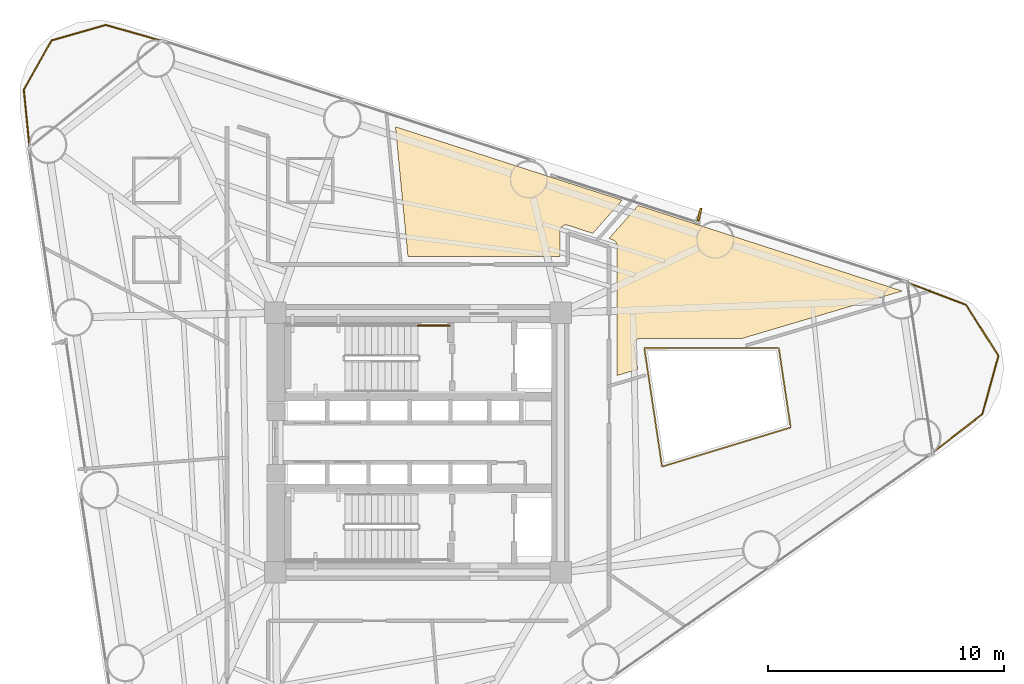
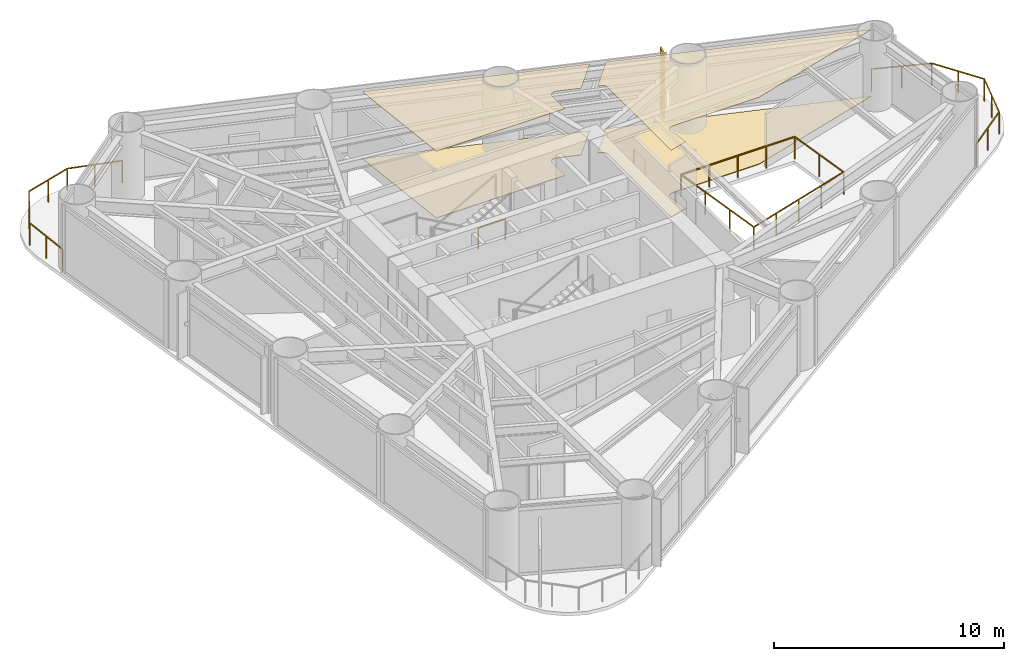
# One storey, part 9 of 9: 4 coverings, 4 railings, 1 shading device.
"""IFC4 building model written with IfcOpenShell, lengths in metres."""

from ifc_helpers import new_model, si_unit, direction, frame, origin, origin_2d, place, context, subcontext, project, spatial, polyline, rectangle, outline, extrude, source, transform, mapped, material, layer, layer_set, material_profile, profile_set, type_object, element, save


model = new_model("IFC4")

# Units and contexts
model_context = context("Model", 3, precision=1e-05, world=origin(), true_north=direction((0.0, 1.0)))
body_context = subcontext(model_context, "Body", "Model", "MODEL_VIEW")
ifc_project = project(units=[si_unit("LENGTHUNIT", "METRE"), si_unit("AREAUNIT", "SQUARE_METRE"), si_unit("VOLUMEUNIT", "CUBIC_METRE"), si_unit("PLANEANGLEUNIT", "RADIAN"), si_unit("MASSUNIT", "GRAM", prefix="KILO")], contexts=[model_context])

# Site, building, storey
site_placement = place(None, origin())
site = spatial("IfcSite", under=ifc_project, at=site_placement, CompositionType="ELEMENT")
building_placement = place(site_placement, origin())
building = spatial("IfcBuilding", under=site, at=building_placement, Name="Yunling Apex Tower", CompositionType="ELEMENT")
storey_placement = place(building_placement, frame((0.0, 0.0, 66.050048828125)))
storey = spatial("IfcBuildingStorey", under=building, at=storey_placement, Name="L17", CompositionType="ELEMENT", Elevation=66.050048828125)

# Coverings
ifc_material_1 = material(Name="Acoustic mineral fibre ceiling")
ifc_layer_1 = layer(ifc_material_1, 0.02490234375)
ifc_layer_set_1 = layer_set([ifc_layer_1], Name="Acoustic mineral fibre ceiling")
covering_type_1 = type_object("IfcCoveringType", Name="CV-CLG-1", PredefinedType="CEILING", material=ifc_layer_set_1)
covering_1_placement = place(storey_placement, frame((0.0, 0.0, 3.5400390625)))
element("IfcCovering", 1, at=covering_1_placement, inside=storey, type_object=covering_type_1, Name="CV-CL-SP-L17-R06", PredefinedType="CEILING", context=body_context, shape_type="SweptSolid", body=[
    extrude(outline(polyline([(-0.957763671875, 13.388427734375), (8.6494140625, 10.2744140625), (7.40625, 8.869140625), (6.342529296875, 9.214111328125), (6.323974609375, 9.21923828125), (6.299072265625, 9.223388671875), (6.2744140625, 9.22509765625), (6.248779296875, 9.22412109375), (6.2236328125, 9.220703125), (6.19873046875, 9.214599609375), (6.178466796875, 9.20751953125), (6.15576171875, 9.19775390625), (6.130615234375, 9.1826171875), (6.113037109375, 9.169677734375), (6.09716796875, 9.15576171875), (6.07666015625, 9.13427734375), (6.0615234375, 9.113037109375), (6.05126953125, 9.09619140625), (6.03955078125, 9.072998046875), (6.0302734375, 9.046630859375), (6.02490234375, 9.024658203125), (6.020751953125, 8.999755859375), (6.02001953125, 8.978515625), (6.02001953125, 7.8798828125), (-0.42724609375, 7.8798828125), (-0.957763671875, 13.388427734375)])), origin(), (0.0, 0.0, 1.0), 0.02490234375),
])
covering_2_placement = place(storey_placement, frame((0.0, 0.0, 3.5400390625)))
element("IfcCovering", 2, at=covering_2_placement, inside=storey, type_object=covering_type_1, Name="CV-CL-SP-L17-R05", PredefinedType="CEILING", context=body_context, shape_type="SweptSolid", body=[
    extrude(outline(polyline([(9.334228515625, 10.052490234375), (20.526611328125, 6.42431640625), (13.747802734375, 4.41650390625), (9.401123046875, 4.410888671875), (9.383544921875, 4.409912109375), (9.358154296875, 4.406494140625), (9.3330078125, 4.3994140625), (9.30859375, 4.390625), (9.285400390625, 4.378662109375), (9.267333984375, 4.36767578125), (9.246337890625, 4.351806640625), (9.227294921875, 4.333740234375), (9.2099609375, 4.313720703125), (9.1953125, 4.292236328125), (9.184326171875, 4.2724609375), (9.173828125, 4.248779296875), (9.165771484375, 4.222900390625), (9.16162109375, 4.20166015625), (9.158203125, 4.177001953125), (9.158203125, 4.14892578125), (9.16015625, 4.12939453125), (9.313720703125, 3.10302734375), (8.429931640625, 2.84130859375), (8.429931640625, 8.359375), (8.42919921875, 8.381103515625), (8.4248046875, 8.40673828125), (8.42041015625, 8.424560546875), (8.4130859375, 8.447021484375), (8.4013671875, 8.47265625), (8.38818359375, 8.494384765625), (8.37548828125, 8.511962890625), (8.359375, 8.530517578125), (8.339111328125, 8.548828125), (8.323486328125, 8.560302734375), (8.30517578125, 8.572509765625), (8.27978515625, 8.585205078125), (8.261474609375, 8.592041015625), (8.091064453125, 8.647216796875), (9.334228515625, 10.052490234375)])), origin(), (0.0, 0.0, 1.0), 0.02490234375),
])
ifc_material_2 = material(Name="Polished granite stone", Category="masonry")
ifc_layer_2 = layer(ifc_material_2, 0.030029296875)
ifc_layer_set_2 = layer_set([ifc_layer_2], Name="Polished granite stone")
covering_type_2 = type_object("IfcCoveringType", Name="CV-FLR-1", PredefinedType="FLOORING", material=ifc_layer_set_2)
covering_3_placement = place(storey_placement, origin())
element("IfcCovering", 3, at=covering_3_placement, inside=storey, type_object=covering_type_2, Name="CV-FL-SP-L17-R06", PredefinedType="FLOORING", context=body_context, shape_type="SweptSolid", body=[
    extrude(outline(polyline([(-0.957763671875, 13.388427734375), (8.6494140625, 10.2744140625), (7.40625, 8.869140625), (6.342529296875, 9.214111328125), (6.323974609375, 9.21923828125), (6.299072265625, 9.223388671875), (6.2744140625, 9.22509765625), (6.248779296875, 9.22412109375), (6.2236328125, 9.220703125), (6.19873046875, 9.214599609375), (6.178466796875, 9.20751953125), (6.15576171875, 9.19775390625), (6.130615234375, 9.1826171875), (6.113037109375, 9.169677734375), (6.09716796875, 9.15576171875), (6.07666015625, 9.13427734375), (6.0615234375, 9.113037109375), (6.05126953125, 9.09619140625), (6.03955078125, 9.072998046875), (6.0302734375, 9.046630859375), (6.02490234375, 9.024658203125), (6.020751953125, 8.999755859375), (6.02001953125, 8.978515625), (6.02001953125, 7.8798828125), (-0.42724609375, 7.8798828125), (-0.957763671875, 13.388427734375)])), origin(), (0.0, 0.0, 1.0), 0.030029296875),
])
covering_4_placement = place(storey_placement, origin())
element("IfcCovering", 4, at=covering_4_placement, inside=storey, type_object=covering_type_2, Name="CV-FL-SP-L17-R05", PredefinedType="FLOORING", context=body_context, shape_type="SweptSolid", body=[
    extrude(outline(polyline([(9.334228515625, 10.052490234375), (20.526611328125, 6.42431640625), (13.747802734375, 4.41650390625), (9.401123046875, 4.410888671875), (9.383544921875, 4.409912109375), (9.358154296875, 4.406494140625), (9.3330078125, 4.3994140625), (9.30859375, 4.390625), (9.285400390625, 4.378662109375), (9.267333984375, 4.36767578125), (9.246337890625, 4.351806640625), (9.227294921875, 4.333740234375), (9.2099609375, 4.313720703125), (9.1953125, 4.292236328125), (9.184326171875, 4.2724609375), (9.173828125, 4.248779296875), (9.165771484375, 4.222900390625), (9.16162109375, 4.20166015625), (9.158203125, 4.177001953125), (9.158203125, 4.14892578125), (9.16015625, 4.12939453125), (9.313720703125, 3.10302734375), (8.429931640625, 2.84130859375), (8.429931640625, 8.359375), (8.42919921875, 8.381103515625), (8.4248046875, 8.40673828125), (8.42041015625, 8.424560546875), (8.4130859375, 8.447021484375), (8.4013671875, 8.47265625), (8.38818359375, 8.494384765625), (8.37548828125, 8.511962890625), (8.359375, 8.530517578125), (8.339111328125, 8.548828125), (8.323486328125, 8.560302734375), (8.30517578125, 8.572509765625), (8.27978515625, 8.585205078125), (8.261474609375, 8.592041015625), (8.091064453125, 8.647216796875), (9.334228515625, 10.052490234375)])), origin(), (0.0, 0.0, 1.0), 0.030029296875),
])

# Railings
ifc_material_3 = material(Name="Bronze anodised aluminium", Category="aluminium")
railing_type_1 = type_object("IfcRailingType", Name="RL-BAL-1200", PredefinedType="BALUSTRADE", material=ifc_material_3)
railing_1_placement = place(storey_placement, frame((20.747314453125, 6.783935546875, 0.0)))
element("IfcRailing", 5, at=railing_1_placement, inside=storey, type_object=railing_type_1, Name="RL-CRNSILL-L17-1", PredefinedType="BALUSTRADE", context=body_context, shape_type="SweptSolid", body=[
    extrude(rectangle(XDim=0.0439453125, YDim=0.0439453125, at=origin_2d()), origin(), (0.0, 0.0, 1.0), 1.199951171875),
    extrude(rectangle(XDim=0.0439453125, YDim=0.0439453125, at=origin_2d()), frame((2.481689453125, -0.941650390625, 0.0)), (0.0, 0.0, 1.0), 1.199951171875),
    extrude(rectangle(XDim=0.050048828125, YDim=0.050048828125, at=origin_2d()), frame((0.035888671875, -0.013671875, 1.1748046875), z_axis=(0.934957554838, -0.354759595574, 0.0), x_axis=(0.354759595574, 0.934957554838, 0.0)), (0.0, 0.0, 1.0), 2.57763671875),
    extrude(rectangle(XDim=0.0439453125, YDim=0.0439453125, at=origin_2d()), frame((1.24072265625, -0.470703125, 0.0)), (0.0, 0.0, 1.0), 1.14599609375),
    extrude(rectangle(XDim=0.0439453125, YDim=0.0439453125, at=origin_2d()), frame((3.859375, -3.1064453125, 0.0)), (0.0, 0.0, 1.0), 1.199951171875),
    extrude(rectangle(XDim=0.050048828125, YDim=0.050048828125, at=origin_2d()), frame((2.502197265625, -0.973876953125, 1.1748046875), z_axis=(0.536900117586, -0.843645816523, 0.0), x_axis=(0.843645816523, 0.536900117586, 0.0)), (0.0, 0.0, 1.0), 2.4892578125),
    extrude(rectangle(XDim=0.0439453125, YDim=0.0439453125, at=origin_2d()), frame((3.17041015625, -2.02392578125, 0.0)), (0.0, 0.0, 1.0), 1.14599609375),
    extrude(rectangle(XDim=0.0439453125, YDim=0.0439453125, at=origin_2d()), frame((3.174560546875, -5.579345703125, 0.0)), (0.0, 0.0, 1.0), 1.199951171875),
    extrude(rectangle(XDim=0.050048828125, YDim=0.050048828125, at=origin_2d()), frame((3.84912109375, -3.143310546875, 1.1748046875), z_axis=(-0.26688316154, -0.963728892421, 0.0), x_axis=(0.963728892421, -0.26688316154, 0.0)), (0.0, 0.0, 1.0), 2.4892578125),
    extrude(rectangle(XDim=0.0439453125, YDim=0.0439453125, at=origin_2d()), frame((3.51708984375, -4.3427734375, 0.0)), (0.0, 0.0, 1.0), 1.14599609375),
    extrude(rectangle(XDim=0.0439453125, YDim=0.0439453125, at=origin_2d()), frame((1.07666015625, -7.20556640625, 0.0)), (0.0, 0.0, 1.0), 1.199951171875),
    extrude(rectangle(XDim=0.050048828125, YDim=0.050048828125, at=origin_2d()), frame((3.144287109375, -5.602783203125, 1.1748046875), z_axis=(-0.79035158758, -0.612653546476, 0.0), x_axis=(0.612653546476, -0.79035158758, 0.0)), (0.0, 0.0, 1.0), 2.57763671875),
    extrude(rectangle(XDim=0.0439453125, YDim=0.0439453125, at=origin_2d()), frame((2.12548828125, -6.392578125, 0.0)), (0.0, 0.0, 1.0), 1.14599609375),
])
railing_2_placement = place(storey_placement, frame((-16.470458984375, 12.5126953125, 0.0)))
element("IfcRailing", 6, at=railing_2_placement, inside=storey, type_object=railing_type_1, Name="RL-CRNSILL-L17-2", PredefinedType="BALUSTRADE", context=body_context, shape_type="SweptSolid", body=[
    extrude(rectangle(XDim=0.0439453125, YDim=0.0439453125, at=origin_2d()), origin(), (0.0, 0.0, 1.0), 1.199951171875),
    extrude(rectangle(XDim=0.0439453125, YDim=0.0439453125, at=origin_2d()), frame((-0.244140625, 2.449462890625, 0.0)), (0.0, 0.0, 1.0), 1.199951171875),
    extrude(rectangle(XDim=0.050048828125, YDim=0.050048828125, at=origin_2d()), frame((-0.00390625, 0.0380859375, 1.1748046875), z_axis=(-0.099179661385, 0.995069542679, 0.0), x_axis=(-0.995069542679, -0.099179661385, 0.0)), (0.0, 0.0, 1.0), 2.385009765625),
    extrude(rectangle(XDim=0.0439453125, YDim=0.0439453125, at=origin_2d()), frame((-0.1220703125, 1.224609375, 0.0)), (0.0, 0.0, 1.0), 1.14599609375),
    extrude(rectangle(XDim=0.0439453125, YDim=0.0439453125, at=origin_2d()), frame((0.935302734375, 4.534912109375, 0.0)), (0.0, 0.0, 1.0), 1.199951171875),
    extrude(rectangle(XDim=0.050048828125, YDim=0.050048828125, at=origin_2d()), frame((-0.225341796875, 2.48291015625, 1.1748046875), z_axis=(0.492282210089, 0.87043565278, 0.0), x_axis=(-0.87043565278, 0.492282210089, 0.0)), (0.0, 0.0, 1.0), 2.319091796875),
    extrude(rectangle(XDim=0.0439453125, YDim=0.0439453125, at=origin_2d()), frame((0.345703125, 3.4921875, 0.0)), (0.0, 0.0, 1.0), 1.14599609375),
    extrude(rectangle(XDim=0.0439453125, YDim=0.0439453125, at=origin_2d()), frame((3.231201171875, 5.19189453125, 0.0)), (0.0, 0.0, 1.0), 1.199951171875),
    extrude(rectangle(XDim=0.050048828125, YDim=0.050048828125, at=origin_2d()), frame((0.97216796875, 4.54541015625, 1.1748046875), z_axis=(0.961411988788, 0.275112682032, 0.0), x_axis=(-0.275112682032, 0.961411988788, 0.0)), (0.0, 0.0, 1.0), 2.311279296875),
    extrude(rectangle(XDim=0.0439453125, YDim=0.0439453125, at=origin_2d()), frame((2.083251953125, 4.86328125, 0.0)), (0.0, 0.0, 1.0), 1.14599609375),
    extrude(rectangle(XDim=0.0439453125, YDim=0.0439453125, at=origin_2d()), frame((5.60009765625, 4.52001953125, 0.0)), (0.0, 0.0, 1.0), 1.199951171875),
    extrude(rectangle(XDim=0.050048828125, YDim=0.050048828125, at=origin_2d()), frame((3.26806640625, 5.181396484375, 1.1748046875), z_axis=(0.962053444414, -0.272861082039, 0.0), x_axis=(0.272861082039, 0.962053444414, 0.0)), (0.0, 0.0, 1.0), 2.3857421875),
    extrude(rectangle(XDim=0.0439453125, YDim=0.0439453125, at=origin_2d()), frame((4.41552734375, 4.85595703125, 0.0)), (0.0, 0.0, 1.0), 1.14599609375),
])
railing_3_placement = place(storey_placement, frame((9.593994140625, 4.001220703125, 0.0)))
element("IfcRailing", 7, at=railing_3_placement, inside=storey, type_object=railing_type_1, Name="RL-TATR-L17", PredefinedType="BALUSTRADE", context=body_context, shape_type="SweptSolid", body=[
    extrude(rectangle(XDim=0.0439453125, YDim=0.0439453125, at=origin_2d()), origin(), (0.0, 0.0, 1.0), 1.199951171875),
    extrude(rectangle(XDim=0.0439453125, YDim=0.0439453125, at=origin_2d()), frame((5.70166015625, 0.007080078125, 0.0)), (0.0, 0.0, 1.0), 1.199951171875),
    extrude(rectangle(XDim=0.050048828125, YDim=0.050048828125, at=origin_2d()), frame((0.038330078125, 0.0, 1.1748046875), z_axis=(0.99999922902, 0.001241756343, 0.0), x_axis=(-0.001241756343, 0.99999922902, 0.0)), (0.0, 0.0, 1.0), 5.625),
    extrude(rectangle(XDim=0.0439453125, YDim=0.0439453125, at=origin_2d()), frame((1.42529296875, 0.001708984375, 0.0)), (0.0, 0.0, 1.0), 1.14599609375),
    extrude(rectangle(XDim=0.0439453125, YDim=0.0439453125, at=origin_2d()), frame((2.850830078125, 0.00341796875, 0.0)), (0.0, 0.0, 1.0), 1.14599609375),
    extrude(rectangle(XDim=0.0439453125, YDim=0.0439453125, at=origin_2d()), frame((4.2763671875, 0.00537109375, 0.0)), (0.0, 0.0, 1.0), 1.14599609375),
    extrude(rectangle(XDim=0.0439453125, YDim=0.0439453125, at=origin_2d()), frame((6.205078125, -3.362548828125, 0.0)), (0.0, 0.0, 1.0), 1.199951171875),
    extrude(rectangle(XDim=0.050048828125, YDim=0.050048828125, at=origin_2d()), frame((5.707275390625, -0.03076171875, 1.1748046875), z_axis=(0.147758753696, -0.98902343284, 0.0), x_axis=(0.98902343284, 0.147758753696, 0.0)), (0.0, 0.0, 1.0), 3.330322265625),
    extrude(rectangle(XDim=0.0439453125, YDim=0.0439453125, at=origin_2d()), frame((5.953369140625, -1.677734375, 0.0)), (0.0, 0.0, 1.0), 1.14599609375),
    extrude(rectangle(XDim=0.0439453125, YDim=0.0439453125, at=origin_2d()), frame((0.75048828125, -5.0224609375, 0.0)), (0.0, 0.0, 1.0), 1.199951171875),
    extrude(rectangle(XDim=0.050048828125, YDim=0.050048828125, at=origin_2d()), frame((6.16845703125, -3.373779296875, 1.1748046875), z_axis=(-0.956682695857, -0.291132649231, 0.0), x_axis=(0.291132649231, -0.956682695857, 0.0)), (0.0, 0.0, 1.0), 5.625),
    extrude(rectangle(XDim=0.0439453125, YDim=0.0439453125, at=origin_2d()), frame((4.84130859375, -3.777587890625, 0.0)), (0.0, 0.0, 1.0), 1.14599609375),
    extrude(rectangle(XDim=0.0439453125, YDim=0.0439453125, at=origin_2d()), frame((3.477783203125, -4.1923828125, 0.0)), (0.0, 0.0, 1.0), 1.14599609375),
    extrude(rectangle(XDim=0.0439453125, YDim=0.0439453125, at=origin_2d()), frame((2.1142578125, -4.607421875, 0.0)), (0.0, 0.0, 1.0), 1.14599609375),
    extrude(rectangle(XDim=0.050048828125, YDim=0.050048828125, at=origin_2d()), frame((0.744873046875, -4.984619140625, 1.1748046875), z_axis=(-0.147785616119, 0.989019419257, 0.0), x_axis=(-0.989019419257, -0.147785616119, 0.0)), (0.0, 0.0, 1.0), 5.00146484375),
    extrude(rectangle(XDim=0.0439453125, YDim=0.0439453125, at=origin_2d()), frame((0.500244140625, -3.348388671875, 0.0)), (0.0, 0.0, 1.0), 1.14599609375),
    extrude(rectangle(XDim=0.0439453125, YDim=0.0439453125, at=origin_2d()), frame((0.250244140625, -1.674072265625, 0.0)), (0.0, 0.0, 1.0), 1.14599609375),
])
ifc_material_4 = material(Name="Steel Q355B", Category="steel")
railing_type_2 = type_object("IfcRailingType", Name="RL-GRD-1150", PredefinedType="GUARDRAIL", material=ifc_material_4)
railing_4_placement = place(storey_placement, frame((1.35009765625, 4.9599609375, 0.0)))
element("IfcRailing", 8, at=railing_4_placement, inside=storey, type_object=railing_type_2, Name="L17 ST-1 stair guard 6", PredefinedType="GUARDRAIL", context=body_context, shape_type="SweptSolid", body=[
    extrude(rectangle(XDim=0.0439453125, YDim=0.0439453125, at=origin_2d()), origin(), (0.0, 0.0, 1.0), 1.14990234375),
    extrude(rectangle(XDim=0.0439453125, YDim=0.0439453125, at=origin_2d()), frame((-1.360107421875, 0.0, 0.0)), (0.0, 0.0, 1.0), 1.14990234375),
    extrude(rectangle(XDim=0.050048828125, YDim=0.050048828125, at=origin_2d()), frame((-0.038330078125, 0.0, 1.125), z_axis=(-1.0, 0.0, 0.0), x_axis=(0.0, -1.0, 0.0)), (0.0, 0.0, 1.0), 1.283447265625),
])

# Shading device
ifc_material_profile = material_profile(ifc_material_3, rectangle(XDim=0.0849609375, YDim=0.550048828125, at=origin_2d()))
ifc_profile_set = profile_set([ifc_material_profile], Name="Bronze anodised aluminium")
shading_device_type = type_object("IfcShadingDeviceType", Name="FN-BRZ-3", PredefinedType="USERDEFINED", material=ifc_profile_set)
shared_shape = source(origin(), body_context, "Body", "SweptSolid", [
    extrude(rectangle(XDim=0.0849609375, YDim=0.550048828125, at=origin_2d()), origin(), (0.0, 0.0, 1.0), 3.445068359375),
])
shading_device_placement = place(storey_placement, frame((11.934814453125, 9.666748046875, 0.06005859375), z_axis=(0.0, 0.0, 1.0), x_axis=(-0.969402520914, 0.245476582274, 0.0)))
element("IfcShadingDevice", 9, at=shading_device_placement, inside=storey, type_object=shading_device_type, Name="CW-L17-F2-B2-FIN-01", ObjectType="FIN", PredefinedType="USERDEFINED", context=body_context, shape_type="MappedRepresentation", body=[
    mapped(shared_shape, transform((0.0, 0.0, 0.0), scale=1.0)),
])

save(model, "model.ifc")
